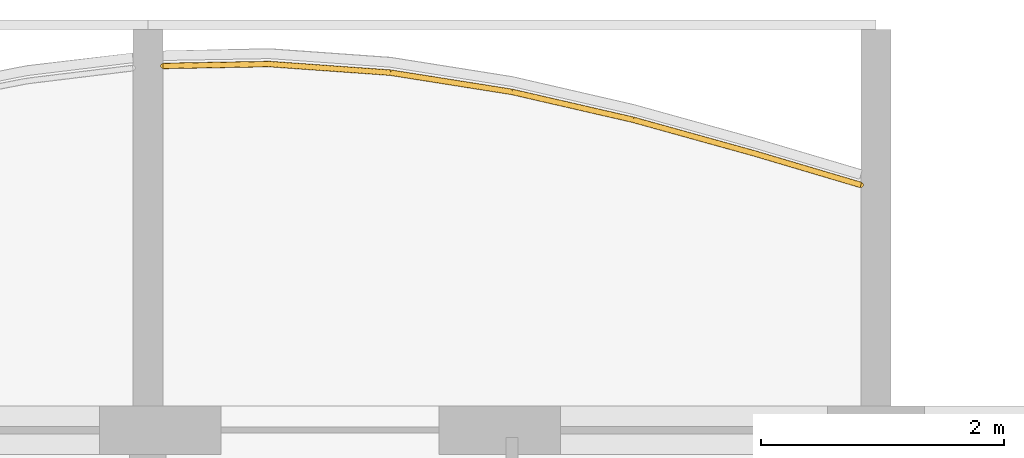
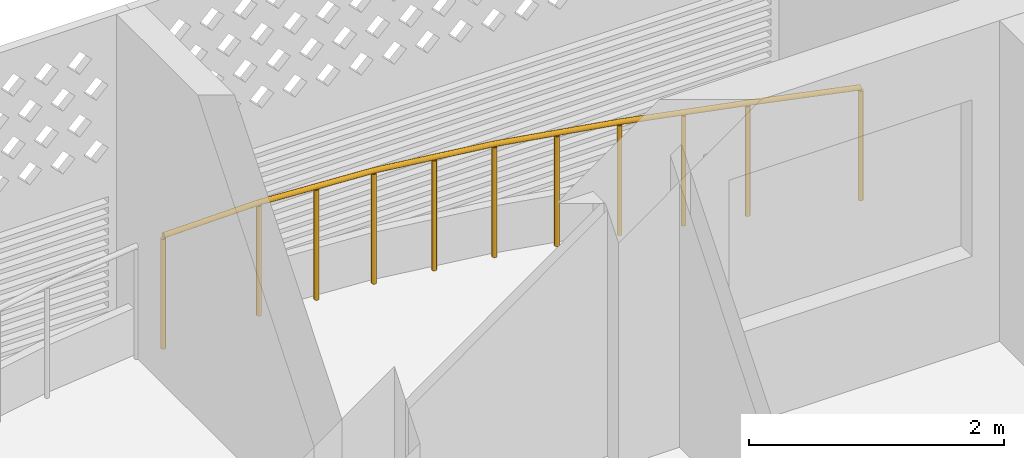
# One storey, part 25 of 32: 1 railing.
"""IFC4 building model written with IfcOpenShell, lengths in metres."""

import ifcopenshell
import ifcopenshell.guid

model = None  # the IFC model being written
_history = None  # IfcOwnerHistory: only IFC2X3 demands one
_inside = {}  # id of a spatial element -> (the spatial element, [elements in it])
_under = {}  # id of a project, library or spatial element -> (it, [spatial elements below it])
_declared = {}  # id of a project -> (the project, [libraries it declares])
_typed = {}  # id of a type object -> (the type object, [elements of that type])
_made_of = {}  # id of a material, layer set ... -> (it, [elements and type objects made of it])


def new_model(schema):
    """Start an empty IFC model of exactly this schema.

    Asked for "IFC4X3", IfcOpenShell would pick the latest addendum, in which some entities
    have other attributes; the version numbers below select the first issue.
    IFC2X3 requires an IfcOwnerHistory on every rooted entity: one is made here for all.
    """
    global model, _history
    if schema == "IFC4X3":
        model = ifcopenshell.file(schema_version=(4, 3, 0, 0))
    else:
        model = ifcopenshell.file(schema=schema)
    _inside.clear()
    _under.clear()
    _declared.clear()
    _typed.clear()
    _made_of.clear()
    _history = None
    if model.schema == "IFC2X3":
        org = make("IfcOrganization", Name="unknown")
        user = make(
            "IfcPersonAndOrganization",
            ThePerson=make("IfcPerson", FamilyName="unknown"),
            TheOrganization=org,
        )
        app = make(
            "IfcApplication",
            ApplicationDeveloper=org,
            Version="unknown",
            ApplicationFullName="unknown",
            ApplicationIdentifier="unknown",
        )
        _history = make(
            "IfcOwnerHistory",
            OwningUser=user,
            OwningApplication=app,
            ChangeAction="ADDED",
            CreationDate=0,
        )
    return model


def make(cls, **values):
    """One entity of the class cls with the attributes given. An attribute that is None is left unset."""
    return model.create_entity(
        cls, **{name: value for name, value in values.items() if value is not None}
    )


def rooted(cls, **values):
    """An entity with a GlobalId (a new one), such as an element, a storey or a relation."""
    return make(cls, GlobalId=ifcopenshell.guid.new(), OwnerHistory=_history, **values)


def si_unit(unit_type, name, prefix=None):
    """IfcSIUnit, for example si_unit("LENGTHUNIT", "METRE", prefix="MILLI")."""
    return make("IfcSIUnit", UnitType=unit_type, Prefix=prefix, Name=name)


def assignment(units):
    """IfcUnitAssignment: the units of a project."""
    return None if units is None else make("IfcUnitAssignment", Units=units)


def point(xyz):
    """IfcCartesianPoint."""
    return None if xyz is None else make("IfcCartesianPoint", Coordinates=xyz)


def direction(xyz):
    """IfcDirection."""
    return None if xyz is None else make("IfcDirection", DirectionRatios=xyz)


def frame(location, z_axis=None, x_axis=None):
    """IfcAxis2Placement3D, a coordinate frame: its origin and axes. An axis left out is left unset."""
    return make(
        "IfcAxis2Placement3D",
        Location=point(location),
        Axis=direction(z_axis),
        RefDirection=direction(x_axis),
    )


def frame_2d(location, x_axis=None):
    """IfcAxis2Placement2D, a coordinate frame in the plane: its origin and x axis."""
    return make(
        "IfcAxis2Placement2D", Location=point(location), RefDirection=direction(x_axis)
    )


def origin():
    """The frame at (0, 0, 0) with its axes left unset."""
    return frame((0.0, 0.0, 0.0))


def origin_2d():
    """The frame at (0, 0) in the plane with its x axis left unset."""
    return frame_2d((0.0, 0.0))


def place(relative_to, where):
    """IfcLocalPlacement: puts the frame where relative to a parent placement (None: the world)."""
    return make(
        "IfcLocalPlacement", PlacementRelTo=relative_to, RelativePlacement=where
    )


def context(
    kind, dimensions, precision=None, world=None, true_north=None, identifier=None
):
    """IfcGeometricRepresentationContext, for example the 3D "Model" context."""
    return make(
        "IfcGeometricRepresentationContext",
        ContextIdentifier=identifier,
        ContextType=kind,
        CoordinateSpaceDimension=dimensions,
        Precision=precision,
        WorldCoordinateSystem=world,
        TrueNorth=true_north,
    )


def subcontext(parent, identifier, kind, view, scale=None):
    """IfcGeometricRepresentationSubContext, for example "Body" below "Model"."""
    return make(
        "IfcGeometricRepresentationSubContext",
        ContextIdentifier=identifier,
        ContextType=kind,
        ParentContext=parent,
        TargetScale=scale,
        TargetView=view,
    )


def project(units=None, contexts=None):
    """IfcProject with its units and contexts."""
    return rooted(
        "IfcProject",
        Name="project",
        RepresentationContexts=contexts,
        UnitsInContext=assignment(units),
    )


def spatial(cls, under=None, at=None, **own):
    """A site, building, storey or space (cls), placed at a placement, below another one or the project."""
    s = rooted(cls, ObjectPlacement=at, **own)
    if under is not None:
        _under.setdefault(under.id(), (under, []))[1].append(s)
    return s


def profile(cls, at=None, kind="AREA", **sizes):
    """A parametric profile (cls). Its sizes go by their IFC names, for example OverallWidth=200.0."""
    return make(cls, ProfileType=kind, Position=at, **sizes)


def circle(**sizes):
    """IfcCircleProfileDef."""
    return profile("IfcCircleProfileDef", **sizes)


def extrude(swept, where, along, depth):
    """IfcExtrudedAreaSolid: the profile swept, set in the frame where, extruded along a direction by depth."""
    return make(
        "IfcExtrudedAreaSolid",
        SweptArea=swept,
        Position=where,
        ExtrudedDirection=direction(along),
        Depth=depth,
    )


def shape(context_of_items, identifier, shape_type, items):
    """IfcShapeRepresentation: the items that make up one representation, for example the "Body"."""
    return make(
        "IfcShapeRepresentation",
        ContextOfItems=context_of_items,
        RepresentationIdentifier=identifier,
        RepresentationType=shape_type,
        Items=items,
    )


def material(Name=None, Category=None):
    """IfcMaterial."""
    return make("IfcMaterial", Name=Name, Category=Category)


def made_of(thing, what):
    """Note that an element or type object is made of a material, layer set ...; save() writes the relation."""
    if what is not None:
        _made_of.setdefault(what.id(), (what, []))[1].append(thing)
    return thing


def type_object(cls, material=None, **own):
    """A type object (cls), such as IfcWallType, which elements share."""
    return made_of(rooted(cls, **own), material)


def element(
    cls,
    number,
    at=None,
    inside=None,
    cuts=None,
    type_object=None,
    material=None,
    context=None,
    identifier="Body",
    shape_type=None,
    held_by="IfcProductDefinitionShape",
    body=None,
    shapes=None,
    **own,
):
    """One element of the class cls, such as IfcWall. Its Tag is "e" and its number.

    at: its placement. inside: the storey or other place that contains it. cuts: it is an
    opening in that element (IfcRelVoidsElement). A single representation is given by context,
    identifier, shape_type and body (its items); several are given by shapes. held_by: the class
    of the entity that holds the representations. save() writes the other relations.
    """
    e = rooted(cls, Tag="e%d" % number, ObjectPlacement=at, **own)
    if body is not None:
        shapes = [shape(context, identifier, shape_type, body)]
    if shapes is not None:
        e.Representation = make(held_by, Representations=shapes)
    if inside is not None:
        _inside.setdefault(inside.id(), (inside, []))[1].append(e)
    if cuts is not None:
        rooted(
            "IfcRelVoidsElement", RelatingBuildingElement=cuts, RelatedOpeningElement=e
        )
    if type_object is not None:
        _typed.setdefault(type_object.id(), (type_object, []))[1].append(e)
    return made_of(e, material)


def aggregate(whole, parts):
    """IfcRelAggregates: a whole, such as a stair, and the parts it consists of."""
    return rooted("IfcRelAggregates", RelatingObject=whole, RelatedObjects=parts)


def save(model, path):
    """Write the relations noted so far, then the file.

    IfcRelAggregates (storeys below a building ...), IfcRelContainedInSpatialStructure (elements
    in a storey), IfcRelDefinesByType, IfcRelAssociatesMaterial and IfcRelDeclares: one each for
    every whole, place, type object, material and project.
    """
    for whole, parts in _under.values():
        aggregate(whole, parts)
    for where, things in _inside.values():
        rooted(
            "IfcRelContainedInSpatialStructure",
            RelatedElements=things,
            RelatingStructure=where,
        )
    for kind, things in _typed.values():
        rooted("IfcRelDefinesByType", RelatedObjects=things, RelatingType=kind)
    for what, things in _made_of.values():
        rooted("IfcRelAssociatesMaterial", RelatedObjects=things, RelatingMaterial=what)
    for by, libraries in _declared.values():
        rooted("IfcRelDeclares", RelatingContext=by, RelatedDefinitions=libraries)
    model.write(path)


model = new_model("IFC4")

# Units and contexts
model_context = context("Model", 3, precision=1e-05, world=origin(), true_north=direction((0.0, 1.0)))
body_context = subcontext(model_context, "Body", "Model", "MODEL_VIEW")
ifc_project = project(units=[si_unit("LENGTHUNIT", "METRE"), si_unit("AREAUNIT", "SQUARE_METRE"), si_unit("VOLUMEUNIT", "CUBIC_METRE"), si_unit("PLANEANGLEUNIT", "RADIAN"), si_unit("MASSUNIT", "GRAM", prefix="KILO")], contexts=[model_context])

# Site, building, storey
site_placement = place(None, origin())
site = spatial("IfcSite", under=ifc_project, at=site_placement, CompositionType="ELEMENT")
building_placement = place(site_placement, origin())
building = spatial("IfcBuilding", under=site, at=building_placement, Name="Poui Terraces", CompositionType="ELEMENT")
storey_placement = place(building_placement, frame((0.0, 0.0, 152.10009765625)))
storey = spatial("IfcBuildingStorey", under=building, at=storey_placement, Name="L42", CompositionType="ELEMENT", Elevation=152.10009765625)

# Railing
ifc_material = material(Name="Painted steel fretwork", Category="steel")
railing_type = type_object("IfcRailingType", Name="BALCONY GUARD 1100", PredefinedType="GUARDRAIL", material=ifc_material)
railing_placement = place(storey_placement, frame((48.125, 45.4013671875, 0.0)))
element("IfcRailing", 1, at=railing_placement, inside=storey, type_object=railing_type, Name="BALCONY GUARD", PredefinedType="GUARDRAIL", context=body_context, shape_type="SweptSolid", body=[
    extrude(circle(Radius=0.02392578125, at=origin_2d()), frame((0.0, 0.0, 1.076171875), z_axis=(0.999840599345, 0.017854296417, 0.0), x_axis=(-0.017854296417, 0.999840599345, 0.0)), (0.0, 0.0, 1.0), 0.875244140625),
    extrude(circle(Radius=0.02392578125, at=origin_2d()), frame((0.875, 0.015625, 1.076171875), z_axis=(0.997485823051, -0.07086630237, 0.0), x_axis=(0.07086630237, 0.997485823051, 0.0)), (0.0, 0.0, 1.0), 1.00244140625),
    extrude(circle(Radius=0.02392578125, at=origin_2d()), frame((1.875, -0.055419921875, 1.076171875), z_axis=(0.9876787513, -0.156494997459, 0.0), x_axis=(0.156494997459, 0.9876787513, 0.0)), (0.0, 0.0, 1.0), 1.012451171875),
    extrude(circle(Radius=0.02392578125, at=origin_2d()), frame((2.875, -0.2138671875, 1.076171875), z_axis=(0.974559344395, -0.224129614849, 0.0), x_axis=(0.224129614849, 0.974559344395, 0.0)), (0.0, 0.0, 1.0), 1.026123046875),
    extrude(circle(Radius=0.02392578125, at=origin_2d()), frame((3.875, -0.44384765625, 1.076171875), z_axis=(0.963565078544, -0.267473997633, 0.0), x_axis=(0.267473997633, 0.963565078544, 0.0)), (0.0, 0.0, 1.0), 1.037841796875),
    extrude(circle(Radius=0.02392578125, at=origin_2d()), frame((4.875, -0.721435546875, 1.076171875), z_axis=(0.9587927149, -0.284106546658, 0.0), x_axis=(0.284106546658, 0.9587927149, 0.0)), (0.0, 0.0, 1.0), 0.91259765625),
    extrude(circle(Radius=0.02099609375, at=origin_2d()), origin(), (0.0, 0.0, 1.0), 1.052001953125),
    extrude(circle(Radius=0.02099609375, at=origin_2d()), frame((0.875, 0.015625, 0.0)), (0.0, 0.0, 1.0), 1.052001953125),
    extrude(circle(Radius=0.02099609375, at=origin_2d()), frame((1.375, -0.02001953125, 0.0)), (0.0, 0.0, 1.0), 1.052001953125),
    extrude(circle(Radius=0.02099609375, at=origin_2d()), frame((1.875, -0.055419921875, 0.0)), (0.0, 0.0, 1.0), 1.052001953125),
    extrude(circle(Radius=0.02099609375, at=origin_2d()), frame((2.375, -0.134765625, 0.0)), (0.0, 0.0, 1.0), 1.052001953125),
    extrude(circle(Radius=0.02099609375, at=origin_2d()), frame((2.875, -0.2138671875, 0.0)), (0.0, 0.0, 1.0), 1.052001953125),
    extrude(circle(Radius=0.02099609375, at=origin_2d()), frame((3.375, -0.328857421875, 0.0)), (0.0, 0.0, 1.0), 1.052001953125),
    extrude(circle(Radius=0.02099609375, at=origin_2d()), frame((3.875, -0.44384765625, 0.0)), (0.0, 0.0, 1.0), 1.052001953125),
    extrude(circle(Radius=0.02099609375, at=origin_2d()), frame((4.375, -0.58251953125, 0.0)), (0.0, 0.0, 1.0), 1.052001953125),
    extrude(circle(Radius=0.02099609375, at=origin_2d()), frame((4.875, -0.721435546875, 0.0)), (0.0, 0.0, 1.0), 1.052001953125),
    extrude(circle(Radius=0.02099609375, at=origin_2d()), frame((5.75, -0.980712890625, 0.0)), (0.0, 0.0, 1.0), 1.052001953125),
])

save(model, "model.ifc")
